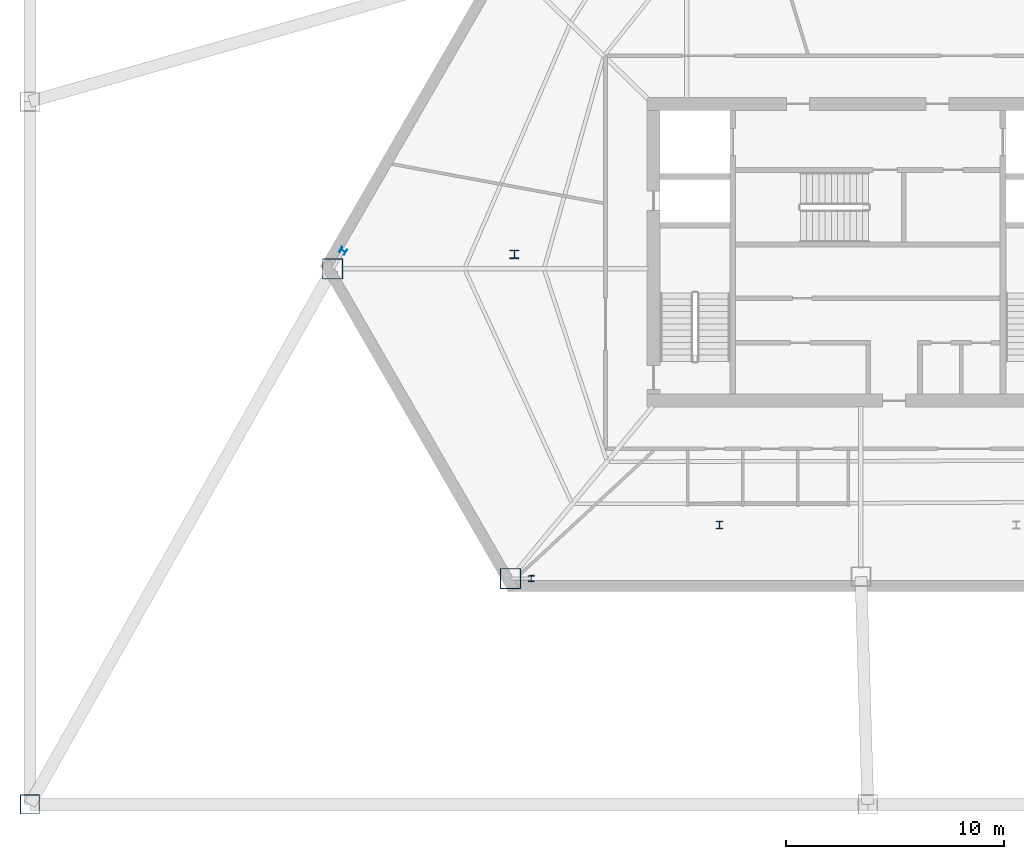
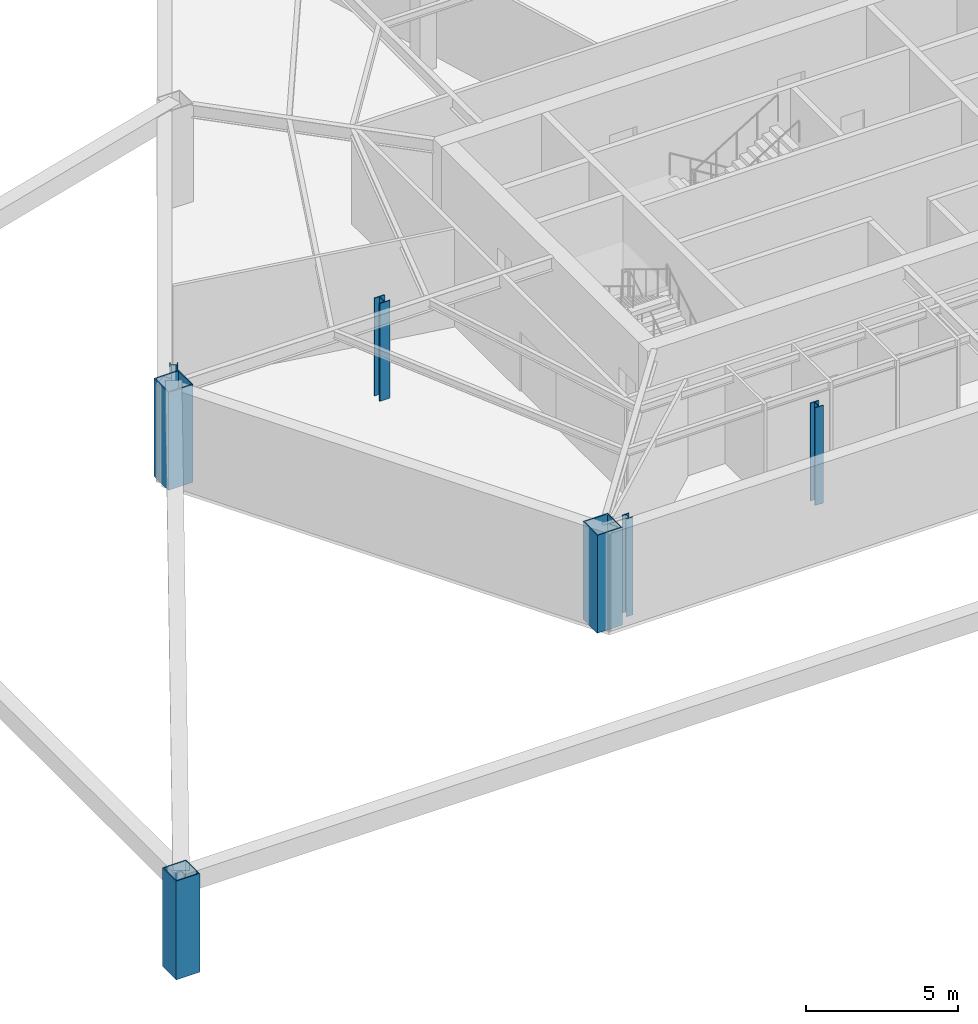
# One storey, part 1 of 8: 7 columns.
"""IFC4 building model written with IfcOpenShell, lengths in metres."""

from ifc_helpers import new_model, si_unit, direction, frame, origin, origin_2d, place, context, subcontext, project, spatial, hollow_rectangle, i_section, extrude, material, material_profile, profile_set, type_object, element, save


model = new_model("IFC4")

# Units and contexts
model_context = context("Model", 3, precision=1e-05, world=origin(), true_north=direction((0.0, 1.0)))
body_context = subcontext(model_context, "Body", "Model", "MODEL_VIEW")
ifc_project = project(units=[si_unit("LENGTHUNIT", "METRE"), si_unit("AREAUNIT", "SQUARE_METRE"), si_unit("VOLUMEUNIT", "CUBIC_METRE"), si_unit("PLANEANGLEUNIT", "RADIAN"), si_unit("MASSUNIT", "GRAM", prefix="KILO")], contexts=[model_context])

# Site, building, storey
site_placement = place(None, origin())
site = spatial("IfcSite", under=ifc_project, at=site_placement, CompositionType="ELEMENT")
building_placement = place(site_placement, origin())
building = spatial("IfcBuilding", under=site, at=building_placement, Name="Kavelnor Concourse Tower", CompositionType="ELEMENT")
storey_placement = place(building_placement, frame((0.0, 0.0, -4.199951171875)))
storey = spatial("IfcBuildingStorey", under=building, at=storey_placement, Name="B01", CompositionType="ELEMENT", Elevation=-4.199951171875)

# Columns
ifc_material = material(Name="Steel Grade 350", Category="steel")
ifc_material_profile_1 = material_profile(ifc_material, i_section(OverallWidth=0.31396484375, OverallDepth=0.340087890625, WebThickness=0.01904296875, FlangeThickness=0.031494140625, at=origin_2d()), Name="UC 305x305x198")
ifc_profile_set_1 = profile_set([ifc_material_profile_1], Name="Steel Grade 350")
column_type_1 = type_object("IfcColumnType", Name="COL-INT-UC305", PredefinedType="COLUMN", material=ifc_profile_set_1)
column_1_placement = place(storey_placement, frame((31.199951171875, 3.60009765625, 0.0), z_axis=(0.0, 0.0, 1.0), x_axis=(1.0, 0.0, 0.0)))
element("IfcColumn", 1, at=column_1_placement, inside=storey, type_object=column_type_1, Name="B01 Interior Column BC-SW", PredefinedType="COLUMN", context=body_context, shape_type="SweptSolid", body=[
    extrude(i_section(OverallWidth=0.31396484375, OverallDepth=0.340087890625, WebThickness=0.01904296875, FlangeThickness=0.031494140625, at=origin_2d()), origin(), (0.0, 0.0, 1.0), 3.93994140625),
])
ifc_material_profile_2 = material_profile(ifc_material, i_section(OverallWidth=0.39892578125, OverallDepth=0.39404296875, WebThickness=0.022705078125, FlangeThickness=0.03662109375, at=origin_2d()), Name="UC 356x406x287")
ifc_profile_set_2 = profile_set([ifc_material_profile_2], Name="Steel Grade 350")
column_type_2 = type_object("IfcColumnType", Name="COL-INT-UC406", PredefinedType="COLUMN", material=ifc_profile_set_2)
column_2_placement = place(storey_placement, frame((21.800048828125, 16.0, 0.0), z_axis=(0.0, 0.0, 1.0), x_axis=(1.0, 0.0, 0.0)))
element("IfcColumn", 2, at=column_2_placement, inside=storey, type_object=column_type_2, Name="B01 Interior Column BC-W1", PredefinedType="COLUMN", context=body_context, shape_type="SweptSolid", body=[
    extrude(i_section(OverallWidth=0.39892578125, OverallDepth=0.39404296875, WebThickness=0.022705078125, FlangeThickness=0.03662109375, at=origin_2d()), origin(), (0.0, 0.0, 1.0), 3.93994140625),
])
ifc_material_profile_3 = material_profile(ifc_material, hollow_rectangle(XDim=0.89990234375, YDim=0.89990234375, WallThickness=0.0380859375, at=origin_2d()), Name="SHS 900x900x38")
ifc_profile_set_3 = profile_set([ifc_material_profile_3], Name="Steel Grade 350")
column_type_3 = type_object("IfcColumnType", Name="COL-MEGA-900", PredefinedType="COLUMN", material=ifc_profile_set_3)
column_3_placement = place(storey_placement, frame((-0.39990234375, -9.199951171875, 0.0), z_axis=(0.0, 0.0, 1.0), x_axis=(1.0, 0.0, 0.0)))
element("IfcColumn", 3, at=column_3_placement, inside=storey, type_object=column_type_3, Name="B01 Plaza Support Column PLZ-SW", PredefinedType="COLUMN", context=body_context, shape_type="SweptSolid", body=[
    extrude(hollow_rectangle(XDim=0.89990234375, YDim=0.89990234375, WallThickness=0.0380859375, at=origin_2d()), origin(), (0.0, 0.0, 1.0), 3.97998046875),
])
ifc_material_profile_4 = material_profile(ifc_material, hollow_rectangle(XDim=0.949951171875, YDim=0.949951171875, WallThickness=0.0400390625, at=origin_2d()), Name="SHS 950x950x40")
ifc_profile_set_4 = profile_set([ifc_material_profile_4], Name="Steel Grade 350")
column_type_4 = type_object("IfcColumnType", Name="COL-MEGA-950", PredefinedType="COLUMN", material=ifc_profile_set_4)
for number, where, z_axis, x_axis, name in (
    (4, (13.479736328125, 15.33935546875, 0.0), (0.0, 0.0, 1.0), (1.0, 0.0, 0.0), "B01 Perimeter Mega Column MC-V2"),
    (5, (21.62451171875, 1.142333984375, 0.0), (0.0, 0.0, 1.0), (1.0, 0.0, 0.0), "B01 Perimeter Mega Column MC-V3"),
):
    element("IfcColumn", number, at=place(storey_placement, frame(where, z_axis=z_axis, x_axis=x_axis)), inside=storey, type_object=column_type_4, Name=name, PredefinedType="COLUMN", context=body_context, shape_type="SweptSolid", body=[
        extrude(hollow_rectangle(XDim=0.949951171875, YDim=0.949951171875, WallThickness=0.0400390625, at=origin_2d()), origin(), (0.0, 0.0, 1.0), 3.93994140625),
    ])
ifc_material_profile_5 = material_profile(ifc_material, i_section(OverallWidth=0.260986328125, OverallDepth=0.27587890625, WebThickness=0.015380859375, FlangeThickness=0.025390625, at=origin_2d()), Name="UC 254x254x132")
ifc_profile_set_5 = profile_set([ifc_material_profile_5], Name="Steel Grade 350")
column_type_5 = type_object("IfcColumnType", Name="COL-PILASTER-250", PredefinedType="PILASTER", material=ifc_profile_set_5)
for number, where, z_axis, x_axis, name in (
    (6, (13.95703125, 16.16064453125, 0.0), (0.0, 0.0, 1.0), (-0.502416446459, -0.864625765478, 0.0), "B01 Brick Pier Stiffener Pilaster F0-B"),
    (7, (22.574462890625, 1.147705078125, 0.0), (0.0, 0.0, 1.0), (0.999985363169, 0.005410494284, 0.0), "B01 Brick Pier Stiffener Pilaster F1-A"),
):
    element("IfcColumn", number, at=place(storey_placement, frame(where, z_axis=z_axis, x_axis=x_axis)), inside=storey, type_object=column_type_5, Name=name, PredefinedType="PILASTER", context=body_context, shape_type="SweptSolid", body=[
        extrude(i_section(OverallWidth=0.260986328125, OverallDepth=0.27587890625, WebThickness=0.015380859375, FlangeThickness=0.025390625, at=origin_2d()), origin(), (0.0, 0.0, 1.0), 3.93994140625),
    ])

save(model, "model.ifc")
